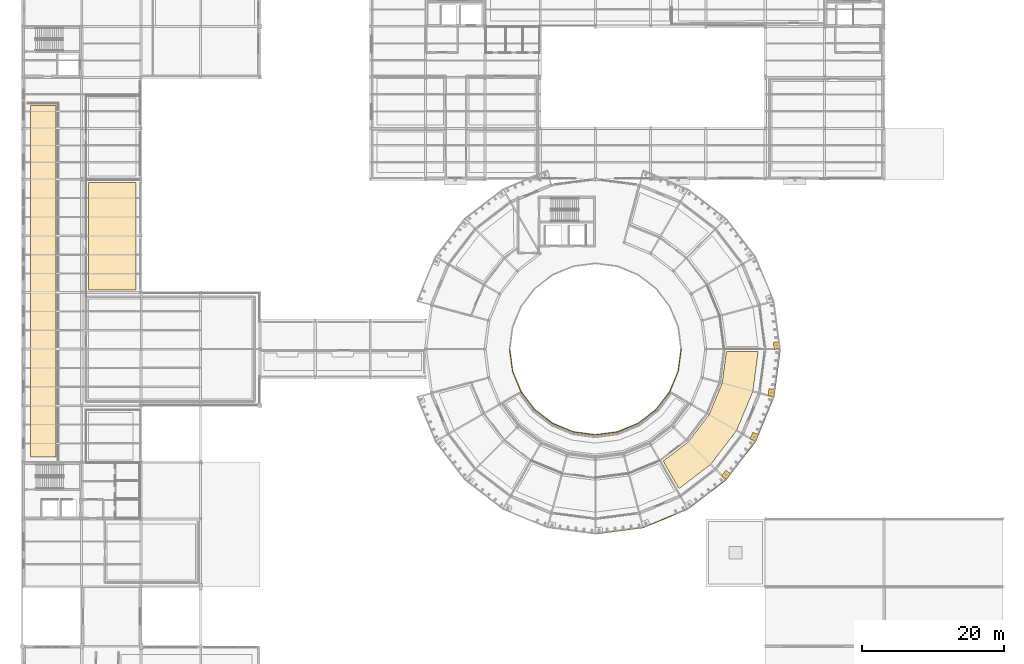
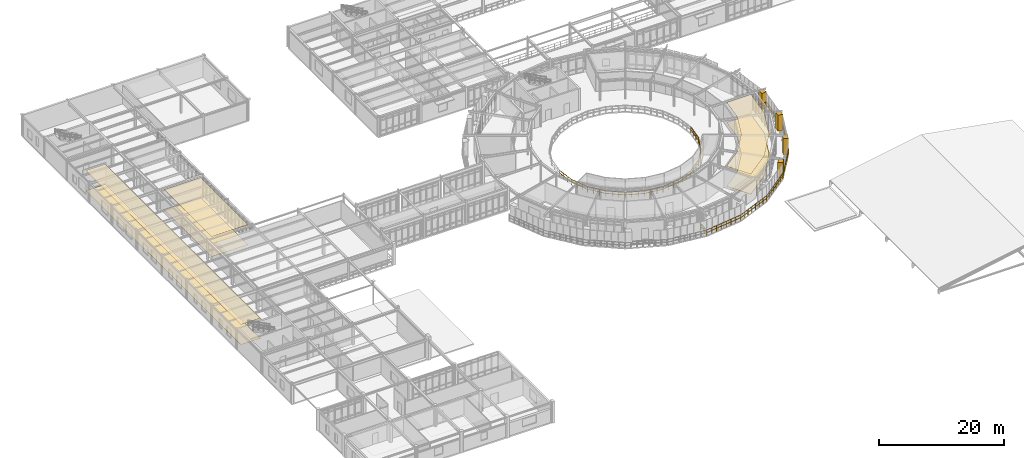
# One storey, part 83 of 90: 6 coverings, 4 shading devices, 2 railings.
"""IFC4 building model written with IfcOpenShell, lengths in metres."""

from ifc_helpers import new_model, si_unit, derived_unit, direction, frame, origin, origin_2d, place, context, subcontext, project, spatial, polyline, rectangle, circle, outline, extrude, material, layer, layer_set, type_object, element, save


model = new_model("IFC4")

# Units and contexts
model_context = context("Model", 3, precision=1e-05, world=origin(), true_north=direction((0.0, 1.0)))
body_context = subcontext(model_context, "Body", "Model", "MODEL_VIEW")
ifc_project = project(units=[si_unit("LENGTHUNIT", "METRE"), si_unit("AREAUNIT", "SQUARE_METRE"), si_unit("VOLUMEUNIT", "CUBIC_METRE"), si_unit("PLANEANGLEUNIT", "RADIAN"), si_unit("MASSUNIT", "GRAM", prefix="KILO"), derived_unit("THERMALTRANSMITTANCEUNIT", [(si_unit("POWERUNIT", "WATT"), 1), (si_unit("AREAUNIT", "SQUARE_METRE"), -1), (si_unit("THERMODYNAMICTEMPERATUREUNIT", "KELVIN"), -1)])], contexts=[model_context])

# Site, building, storey
site_placement = place(None, origin())
site = spatial("IfcSite", under=ifc_project, at=site_placement, CompositionType="ELEMENT")
building_placement = place(site_placement, origin())
building = spatial("IfcBuilding", under=site, at=building_placement, Name="Yasenodar Specialist Clinic", CompositionType="ELEMENT")
storey_placement = place(building_placement, frame((0.0, 0.0, 9.0)))
storey = spatial("IfcBuildingStorey", under=building, at=storey_placement, Name="L02", CompositionType="ELEMENT", Elevation=9.0)

# Coverings
ifc_material_1 = material(Name="Hygienic Acoustic Mineral-Fibre Ceiling")
ifc_layer_1 = layer(ifc_material_1, 0.02490234375)
ifc_layer_set_1 = layer_set([ifc_layer_1], Name="Hygienic Acoustic Mineral-Fibre Ceiling")
covering_type_1 = type_object("IfcCoveringType", Name="COV-CEIL-AC", PredefinedType="CEILING", material=ifc_layer_set_1)
covering_1_placement = place(storey_placement, frame((0.0, 0.0, 3.925048828125)))
element("IfcCovering", 1, at=covering_1_placement, inside=storey, type_object=covering_type_1, Name="L02 Post-Infusion Quiet Recovery Lounge Acoustic Ceiling", PredefinedType="CEILING", context=body_context, shape_type="SweptSolid", body=[
    extrude(outline(polyline([(97.297119140625, 42.5029296875), (92.820068359375, 39.068115234375), (90.572998046875, 42.9599609375), (94.08203125, 45.653076171875), (94.10595703125, 45.673095703125), (94.126953125, 45.694091796875), (94.14697265625, 45.718017578125), (97.0390625, 49.487060546875), (97.056884765625, 49.511962890625), (97.072021484375, 49.5380859375), (97.0849609375, 49.56591796875), (98.903076171875, 53.9560546875), (98.9140625, 53.98388671875), (98.922119140625, 54.013916015625), (98.927001953125, 54.0439453125), (99.50390625, 58.429931640625), (103.998046875, 58.429931640625), (103.261962890625, 52.8349609375), (100.958984375, 47.277099609375), (97.297119140625, 42.5029296875)])), origin(), (0.0, 0.0, 1.0), 0.02490234375),
])
covering_2_placement = place(storey_placement, frame((0.0, 0.0, 3.925048828125)))
element("IfcCovering", 2, at=covering_2_placement, inside=storey, type_object=covering_type_1, Name="L02 Neurology Outpatient Consulting Rooms Acoustic Ceiling", PredefinedType="CEILING", context=body_context, shape_type="SweptSolid", body=[
    extrude(outline(polyline([(4.75, 93.199951171875), (4.75, 43.550048828125), (1.14990234375, 43.550048828125), (1.14990234375, 93.199951171875), (4.75, 93.199951171875)])), origin(), (0.0, 0.0, 1.0), 0.02490234375),
])
covering_3_placement = place(storey_placement, frame((0.0, 0.0, 3.925048828125)))
element("IfcCovering", 3, at=covering_3_placement, inside=storey, type_object=covering_type_1, Name="L02 Hepatology Specialist Consulting Room Acoustic Ceiling", PredefinedType="CEILING", context=body_context, shape_type="SweptSolid", body=[
    extrude(outline(polyline([(16.10009765625, 82.35009765625), (16.10009765625, 67.14990234375), (9.35009765625, 67.14990234375), (9.35009765625, 82.35009765625), (16.10009765625, 82.35009765625)])), origin(), (0.0, 0.0, 1.0), 0.02490234375),
])
ifc_material_2 = material(Name="Seamless Epoxy Terrazzo Clinical Flooring")
ifc_layer_2 = layer(ifc_material_2, 0.02001953125)
ifc_layer_set_2 = layer_set([ifc_layer_2], Name="Seamless Epoxy Terrazzo Clinical Flooring")
covering_type_2 = type_object("IfcCoveringType", Name="COV-FLR-TERR", PredefinedType="FLOORING", material=ifc_layer_set_2)
covering_4_placement = place(storey_placement, origin())
element("IfcCovering", 4, at=covering_4_placement, inside=storey, type_object=covering_type_2, Name="L02 Post-Infusion Quiet Recovery Lounge Terrazzo Flooring", PredefinedType="FLOORING", context=body_context, shape_type="SweptSolid", body=[
    extrude(outline(polyline([(97.297119140625, 42.5029296875), (92.820068359375, 39.068115234375), (90.572998046875, 42.9599609375), (94.08203125, 45.653076171875), (94.10595703125, 45.673095703125), (94.126953125, 45.694091796875), (94.14697265625, 45.718017578125), (97.0390625, 49.487060546875), (97.056884765625, 49.511962890625), (97.072021484375, 49.5380859375), (97.0849609375, 49.56591796875), (98.903076171875, 53.9560546875), (98.9140625, 53.98388671875), (98.922119140625, 54.013916015625), (98.927001953125, 54.0439453125), (99.50390625, 58.429931640625), (103.998046875, 58.429931640625), (103.261962890625, 52.8349609375), (100.958984375, 47.277099609375), (97.297119140625, 42.5029296875)])), origin(), (0.0, 0.0, 1.0), 0.02001953125),
])
covering_5_placement = place(storey_placement, origin())
element("IfcCovering", 5, at=covering_5_placement, inside=storey, type_object=covering_type_2, Name="L02 Neurology Outpatient Consulting Rooms Terrazzo Flooring", PredefinedType="FLOORING", context=body_context, shape_type="SweptSolid", body=[
    extrude(outline(polyline([(4.75, 93.199951171875), (4.75, 43.550048828125), (1.14990234375, 43.550048828125), (1.14990234375, 93.199951171875), (4.75, 93.199951171875)])), origin(), (0.0, 0.0, 1.0), 0.02001953125),
])
covering_6_placement = place(storey_placement, origin())
element("IfcCovering", 6, at=covering_6_placement, inside=storey, type_object=covering_type_2, Name="L02 Hepatology Specialist Consulting Room Terrazzo Flooring", PredefinedType="FLOORING", context=body_context, shape_type="SweptSolid", body=[
    extrude(outline(polyline([(16.10009765625, 82.35009765625), (16.10009765625, 67.14990234375), (9.35009765625, 67.14990234375), (9.35009765625, 82.35009765625), (16.10009765625, 82.35009765625)])), origin(), (0.0, 0.0, 1.0), 0.02001953125),
])

# Railings
ifc_material_3 = material(Name="Bronze Anodized Aluminium and Larch Balustrade", Category="aluminium")
railing_type_1 = type_object("IfcRailingType", Name="RL-BAL-1120", PredefinedType="BALUSTRADE", material=ifc_material_3)
railing_1_placement = place(storey_placement, frame((81.0, 34.580078125, 0.0)))
element("IfcRailing", 7, at=railing_1_placement, inside=storey, type_object=railing_type_1, Name="L02 Drum V1 Balcony Balustrade 4", PredefinedType="BALUSTRADE", context=body_context, shape_type="SweptSolid", body=[
    extrude(circle(Radius=0.02392578125, at=origin_2d()), frame((0.0, 0.0, 1.09619140625), z_axis=(0.0, -1.0, 0.0), x_axis=(1.0, 0.0, 0.0)), (0.0, 0.0, 1.0), 1.900146484375),
    extrude(circle(Radius=0.02392578125, at=origin_2d()), frame((0.0, 0.0, 0.58251953125), z_axis=(0.0, -1.0, 0.0), x_axis=(1.0, 0.0, 0.0)), (0.0, 0.0, 1.0), 1.900146484375),
    extrude(circle(Radius=0.02392578125, at=origin_2d()), frame((0.0, -1.900146484375, 1.09619140625), z_axis=(0.9914429584, 0.130540645926, 0.0), x_axis=(-0.130540645926, 0.9914429584, 0.0)), (0.0, 0.0, 1.0), 6.81884765625),
    extrude(circle(Radius=0.02392578125, at=origin_2d()), frame((0.0, -1.900146484375, 0.58251953125), z_axis=(0.9914429584, 0.130540645926, 0.0), x_axis=(-0.130540645926, 0.9914429584, 0.0)), (0.0, 0.0, 1.0), 6.81884765625),
    extrude(circle(Radius=0.02392578125, at=origin_2d()), frame((6.760498046875, -1.010009765625, 1.09619140625), z_axis=(0.923878931839, 0.382684882513, 0.0), x_axis=(-0.382684882513, 0.923878931839, 0.0)), (0.0, 0.0, 1.0), 6.818603515625),
    extrude(circle(Radius=0.02392578125, at=origin_2d()), frame((6.760498046875, -1.010009765625, 0.58251953125), z_axis=(0.923878931839, 0.382684882513, 0.0), x_axis=(-0.382684882513, 0.923878931839, 0.0)), (0.0, 0.0, 1.0), 6.818603515625),
    extrude(circle(Radius=0.02392578125, at=origin_2d()), frame((13.06005859375, 1.599365234375, 1.09619140625), z_axis=(0.793347531118, 0.608768999597, 0.0), x_axis=(-0.608768999597, 0.793347531118, 0.0)), (0.0, 0.0, 1.0), 6.818359375),
    extrude(circle(Radius=0.02392578125, at=origin_2d()), frame((13.06005859375, 1.599365234375, 0.58251953125), z_axis=(0.793347531118, 0.608768999597, 0.0), x_axis=(-0.608768999597, 0.793347531118, 0.0)), (0.0, 0.0, 1.0), 6.818359375),
    extrude(circle(Radius=0.02392578125, at=origin_2d()), frame((18.469482421875, 5.750244140625, 1.09619140625), z_axis=(0.608774242529, 0.793343507967, 0.0), x_axis=(-0.793343507967, 0.608774242529, 0.0)), (0.0, 0.0, 1.0), 6.81884765625),
    extrude(circle(Radius=0.02392578125, at=origin_2d()), frame((18.469482421875, 5.750244140625, 0.58251953125), z_axis=(0.608774242529, 0.793343507967, 0.0), x_axis=(-0.793343507967, 0.608774242529, 0.0)), (0.0, 0.0, 1.0), 6.81884765625),
    extrude(circle(Radius=0.02392578125, at=origin_2d()), frame((22.62060546875, 11.159912109375, 1.09619140625), z_axis=(0.382684882513, 0.923878931839, 0.0), x_axis=(-0.923878931839, 0.382684882513, 0.0)), (0.0, 0.0, 1.0), 6.818603515625),
    extrude(circle(Radius=0.02392578125, at=origin_2d()), frame((22.62060546875, 11.159912109375, 0.58251953125), z_axis=(0.382684882513, 0.923878931839, 0.0), x_axis=(-0.923878931839, 0.382684882513, 0.0)), (0.0, 0.0, 1.0), 6.818603515625),
    extrude(circle(Radius=0.02392578125, at=origin_2d()), frame((25.22998046875, 17.45947265625, 1.09619140625), z_axis=(0.130540645926, 0.9914429584, 0.0), x_axis=(-0.9914429584, 0.130540645926, 0.0)), (0.0, 0.0, 1.0), 6.81884765625),
    extrude(circle(Radius=0.02392578125, at=origin_2d()), frame((25.22998046875, 17.45947265625, 0.58251953125), z_axis=(0.130540645926, 0.9914429584, 0.0), x_axis=(-0.9914429584, 0.130540645926, 0.0)), (0.0, 0.0, 1.0), 6.81884765625),
    extrude(circle(Radius=0.02392578125, at=origin_2d()), frame((26.1201171875, 24.219970703125, 1.09619140625), z_axis=(-1.0, 0.0, 0.0), x_axis=(0.0, -1.0, 0.0)), (0.0, 0.0, 1.0), 1.900146484375),
    extrude(circle(Radius=0.02392578125, at=origin_2d()), frame((26.1201171875, 24.219970703125, 0.58251953125), z_axis=(-1.0, 0.0, 0.0), x_axis=(0.0, -1.0, 0.0)), (0.0, 0.0, 1.0), 1.900146484375),
    extrude(circle(Radius=0.02099609375, at=origin_2d()), origin(), (0.0, 0.0, 1.0), 1.072021484375),
    extrude(circle(Radius=0.02099609375, at=origin_2d()), frame((0.0, -0.9501953125, 0.0)), (0.0, 0.0, 1.0), 1.072021484375),
    extrude(circle(Radius=0.02099609375, at=origin_2d()), frame((0.0, -1.900146484375, 0.0)), (0.0, 0.0, 1.0), 1.072021484375),
    extrude(circle(Radius=0.02099609375, at=origin_2d()), frame((0.9658203125, -1.77294921875, 0.0)), (0.0, 0.0, 1.0), 1.072021484375),
    extrude(circle(Radius=0.02099609375, at=origin_2d()), frame((1.931640625, -1.645751953125, 0.0)), (0.0, 0.0, 1.0), 1.072021484375),
    extrude(circle(Radius=0.02099609375, at=origin_2d()), frame((2.8974609375, -1.5185546875, 0.0)), (0.0, 0.0, 1.0), 1.072021484375),
    extrude(circle(Radius=0.02099609375, at=origin_2d()), frame((3.863037109375, -1.3916015625, 0.0)), (0.0, 0.0, 1.0), 1.072021484375),
    extrude(circle(Radius=0.02099609375, at=origin_2d()), frame((4.828857421875, -1.264404296875, 0.0)), (0.0, 0.0, 1.0), 1.072021484375),
    extrude(circle(Radius=0.02099609375, at=origin_2d()), frame((5.794677734375, -1.13720703125, 0.0)), (0.0, 0.0, 1.0), 1.072021484375),
    extrude(circle(Radius=0.02099609375, at=origin_2d()), frame((6.760498046875, -1.010009765625, 0.0)), (0.0, 0.0, 1.0), 1.072021484375),
    extrude(circle(Radius=0.02099609375, at=origin_2d()), frame((7.660400390625, -0.63720703125, 0.0)), (0.0, 0.0, 1.0), 1.072021484375),
    extrude(circle(Radius=0.02099609375, at=origin_2d()), frame((8.560302734375, -0.264404296875, 0.0)), (0.0, 0.0, 1.0), 1.072021484375),
    extrude(circle(Radius=0.02099609375, at=origin_2d()), frame((9.460205078125, 0.1083984375, 0.0)), (0.0, 0.0, 1.0), 1.072021484375),
    extrude(circle(Radius=0.02099609375, at=origin_2d()), frame((10.3603515625, 0.48095703125, 0.0)), (0.0, 0.0, 1.0), 1.072021484375),
    extrude(circle(Radius=0.02099609375, at=origin_2d()), frame((11.26025390625, 0.853759765625, 0.0)), (0.0, 0.0, 1.0), 1.072021484375),
    extrude(circle(Radius=0.02099609375, at=origin_2d()), frame((12.16015625, 1.2265625, 0.0)), (0.0, 0.0, 1.0), 1.072021484375),
    extrude(circle(Radius=0.02099609375, at=origin_2d()), frame((13.06005859375, 1.599365234375, 0.0)), (0.0, 0.0, 1.0), 1.072021484375),
    extrude(circle(Radius=0.02099609375, at=origin_2d()), frame((13.832763671875, 2.1923828125, 0.0)), (0.0, 0.0, 1.0), 1.072021484375),
    extrude(circle(Radius=0.02099609375, at=origin_2d()), frame((14.605712890625, 2.785400390625, 0.0)), (0.0, 0.0, 1.0), 1.072021484375),
    extrude(circle(Radius=0.02099609375, at=origin_2d()), frame((15.37841796875, 3.37841796875, 0.0)), (0.0, 0.0, 1.0), 1.072021484375),
    extrude(circle(Radius=0.02099609375, at=origin_2d()), frame((16.151123046875, 3.97119140625, 0.0)), (0.0, 0.0, 1.0), 1.072021484375),
    extrude(circle(Radius=0.02099609375, at=origin_2d()), frame((16.923828125, 4.564208984375, 0.0)), (0.0, 0.0, 1.0), 1.072021484375),
    extrude(circle(Radius=0.02099609375, at=origin_2d()), frame((17.69677734375, 5.1572265625, 0.0)), (0.0, 0.0, 1.0), 1.072021484375),
    extrude(circle(Radius=0.02099609375, at=origin_2d()), frame((18.469482421875, 5.750244140625, 0.0)), (0.0, 0.0, 1.0), 1.072021484375),
    extrude(circle(Radius=0.02099609375, at=origin_2d()), frame((19.0625, 6.52294921875, 0.0)), (0.0, 0.0, 1.0), 1.072021484375),
    extrude(circle(Radius=0.02099609375, at=origin_2d()), frame((19.655517578125, 7.2958984375, 0.0)), (0.0, 0.0, 1.0), 1.072021484375),
    extrude(circle(Radius=0.02099609375, at=origin_2d()), frame((20.24853515625, 8.068603515625, 0.0)), (0.0, 0.0, 1.0), 1.072021484375),
    extrude(circle(Radius=0.02099609375, at=origin_2d()), frame((20.841552734375, 8.841552734375, 0.0)), (0.0, 0.0, 1.0), 1.072021484375),
    extrude(circle(Radius=0.02099609375, at=origin_2d()), frame((21.4345703125, 9.6142578125, 0.0)), (0.0, 0.0, 1.0), 1.072021484375),
    extrude(circle(Radius=0.02099609375, at=origin_2d()), frame((22.027587890625, 10.38720703125, 0.0)), (0.0, 0.0, 1.0), 1.072021484375),
    extrude(circle(Radius=0.02099609375, at=origin_2d()), frame((22.62060546875, 11.159912109375, 0.0)), (0.0, 0.0, 1.0), 1.072021484375),
    extrude(circle(Radius=0.02099609375, at=origin_2d()), frame((22.993408203125, 12.059814453125, 0.0)), (0.0, 0.0, 1.0), 1.072021484375),
    extrude(circle(Radius=0.02099609375, at=origin_2d()), frame((23.3662109375, 12.959716796875, 0.0)), (0.0, 0.0, 1.0), 1.072021484375),
    extrude(circle(Radius=0.02099609375, at=origin_2d()), frame((23.739013671875, 13.859619140625, 0.0)), (0.0, 0.0, 1.0), 1.072021484375),
    extrude(circle(Radius=0.02099609375, at=origin_2d()), frame((24.111572265625, 14.759765625, 0.0)), (0.0, 0.0, 1.0), 1.072021484375),
    extrude(circle(Radius=0.02099609375, at=origin_2d()), frame((24.484375, 15.65966796875, 0.0)), (0.0, 0.0, 1.0), 1.072021484375),
    extrude(circle(Radius=0.02099609375, at=origin_2d()), frame((24.857177734375, 16.5595703125, 0.0)), (0.0, 0.0, 1.0), 1.072021484375),
    extrude(circle(Radius=0.02099609375, at=origin_2d()), frame((25.22998046875, 17.45947265625, 0.0)), (0.0, 0.0, 1.0), 1.072021484375),
    extrude(circle(Radius=0.02099609375, at=origin_2d()), frame((25.357177734375, 18.42529296875, 0.0)), (0.0, 0.0, 1.0), 1.072021484375),
    extrude(circle(Radius=0.02099609375, at=origin_2d()), frame((25.484375, 19.39111328125, 0.0)), (0.0, 0.0, 1.0), 1.072021484375),
    extrude(circle(Radius=0.02099609375, at=origin_2d()), frame((25.611572265625, 20.35693359375, 0.0)), (0.0, 0.0, 1.0), 1.072021484375),
    extrude(circle(Radius=0.02099609375, at=origin_2d()), frame((25.738525390625, 21.322509765625, 0.0)), (0.0, 0.0, 1.0), 1.072021484375),
    extrude(circle(Radius=0.02099609375, at=origin_2d()), frame((25.86572265625, 22.288330078125, 0.0)), (0.0, 0.0, 1.0), 1.072021484375),
    extrude(circle(Radius=0.02099609375, at=origin_2d()), frame((25.992919921875, 23.254150390625, 0.0)), (0.0, 0.0, 1.0), 1.072021484375),
    extrude(circle(Radius=0.02099609375, at=origin_2d()), frame((26.1201171875, 24.219970703125, 0.0)), (0.0, 0.0, 1.0), 1.072021484375),
    extrude(circle(Radius=0.02099609375, at=origin_2d()), frame((25.169921875, 24.219970703125, 0.0)), (0.0, 0.0, 1.0), 1.072021484375),
    extrude(circle(Radius=0.02099609375, at=origin_2d()), frame((24.219970703125, 24.219970703125, 0.0)), (0.0, 0.0, 1.0), 1.072021484375),
])
ifc_material_4 = material(Name="Steel S355 Painted Stair Guardrail", Category="steel")
railing_type_2 = type_object("IfcRailingType", Name="RL-ST-GRD", PredefinedType="GUARDRAIL", material=ifc_material_4)
railing_2_placement = place(storey_placement, frame((68.8798828125, 58.800048828125, 0.0)))
element("IfcRailing", 8, at=railing_2_placement, inside=storey, type_object=railing_type_2, Name="L02 Drum V1 Central Atrium South Guardrail", PredefinedType="GUARDRAIL", context=body_context, shape_type="SweptSolid", body=[
    extrude(circle(Radius=0.02392578125, at=origin_2d()), frame((0.0, 0.0, 1.09619140625), z_axis=(0.130556307594, -0.991440896144, 0.0), x_axis=(0.991440896144, 0.130556307594, 0.0)), (0.0, 0.0, 1.0), 3.1640625),
    extrude(circle(Radius=0.02392578125, at=origin_2d()), frame((0.0, 0.0, 0.58251953125), z_axis=(0.130556307594, -0.991440896144, 0.0), x_axis=(0.991440896144, 0.130556307594, 0.0)), (0.0, 0.0, 1.0), 3.1640625),
    extrude(circle(Radius=0.02392578125, at=origin_2d()), frame((0.4130859375, -3.136962890625, 1.09619140625), z_axis=(0.382724333475, -0.923862589656, 0.0), x_axis=(0.923862589656, 0.382724333475, 0.0)), (0.0, 0.0, 1.0), 3.1640625),
    extrude(circle(Radius=0.02392578125, at=origin_2d()), frame((0.4130859375, -3.136962890625, 0.58251953125), z_axis=(0.382724333475, -0.923862589656, 0.0), x_axis=(0.923862589656, 0.382724333475, 0.0)), (0.0, 0.0, 1.0), 3.1640625),
    extrude(circle(Radius=0.02392578125, at=origin_2d()), frame((1.6240234375, -6.06005859375, 1.09619140625), z_axis=(0.608766831684, -0.793349194644, 0.0), x_axis=(0.793349194644, 0.608766831684, 0.0)), (0.0, 0.0, 1.0), 3.163818359375),
    extrude(circle(Radius=0.02392578125, at=origin_2d()), frame((1.6240234375, -6.06005859375, 0.58251953125), z_axis=(0.608766831684, -0.793349194644, 0.0), x_axis=(0.793349194644, 0.608766831684, 0.0)), (0.0, 0.0, 1.0), 3.163818359375),
    extrude(circle(Radius=0.02392578125, at=origin_2d()), frame((3.550048828125, -8.570068359375, 1.09619140625), z_axis=(0.793311926195, -0.608815397109, 0.0), x_axis=(0.608815397109, 0.793311926195, 0.0)), (0.0, 0.0, 1.0), 3.1640625),
    extrude(circle(Radius=0.02392578125, at=origin_2d()), frame((3.550048828125, -8.570068359375, 0.58251953125), z_axis=(0.793311926195, -0.608815397109, 0.0), x_axis=(0.608815397109, 0.793311926195, 0.0)), (0.0, 0.0, 1.0), 3.1640625),
    extrude(circle(Radius=0.02392578125, at=origin_2d()), frame((6.06005859375, -10.496337890625, 1.09619140625), z_axis=(0.923889871474, -0.382658470946, 0.0), x_axis=(0.382658470946, 0.923889871474, 0.0)), (0.0, 0.0, 1.0), 3.163818359375),
    extrude(circle(Radius=0.02392578125, at=origin_2d()), frame((6.06005859375, -10.496337890625, 0.58251953125), z_axis=(0.923889871474, -0.382658470946, 0.0), x_axis=(0.382658470946, 0.923889871474, 0.0)), (0.0, 0.0, 1.0), 3.163818359375),
    extrude(circle(Radius=0.02392578125, at=origin_2d()), frame((8.983154296875, -11.70703125, 1.09619140625), z_axis=(0.991440896144, -0.130556307594, 0.0), x_axis=(0.130556307594, 0.991440896144, 0.0)), (0.0, 0.0, 1.0), 3.1640625),
    extrude(circle(Radius=0.02392578125, at=origin_2d()), frame((8.983154296875, -11.70703125, 0.58251953125), z_axis=(0.991440896144, -0.130556307594, 0.0), x_axis=(0.130556307594, 0.991440896144, 0.0)), (0.0, 0.0, 1.0), 3.1640625),
    extrude(circle(Radius=0.02392578125, at=origin_2d()), frame((12.1201171875, -12.1201171875, 1.09619140625), z_axis=(0.991440896144, 0.130556307594, 0.0), x_axis=(-0.130556307594, 0.991440896144, 0.0)), (0.0, 0.0, 1.0), 3.1640625),
    extrude(circle(Radius=0.02392578125, at=origin_2d()), frame((12.1201171875, -12.1201171875, 0.58251953125), z_axis=(0.991440896144, 0.130556307594, 0.0), x_axis=(-0.130556307594, 0.991440896144, 0.0)), (0.0, 0.0, 1.0), 3.1640625),
    extrude(circle(Radius=0.02392578125, at=origin_2d()), frame((15.257080078125, -11.70703125, 1.09619140625), z_axis=(0.923889871474, 0.382658470946, 0.0), x_axis=(-0.382658470946, 0.923889871474, 0.0)), (0.0, 0.0, 1.0), 3.163818359375),
    extrude(circle(Radius=0.02392578125, at=origin_2d()), frame((15.257080078125, -11.70703125, 0.58251953125), z_axis=(0.923889871474, 0.382658470946, 0.0), x_axis=(-0.382658470946, 0.923889871474, 0.0)), (0.0, 0.0, 1.0), 3.163818359375),
    extrude(circle(Radius=0.02392578125, at=origin_2d()), frame((18.18017578125, -10.496337890625, 1.09619140625), z_axis=(0.793311926195, 0.608815397109, 0.0), x_axis=(-0.608815397109, 0.793311926195, 0.0)), (0.0, 0.0, 1.0), 3.1640625),
    extrude(circle(Radius=0.02392578125, at=origin_2d()), frame((18.18017578125, -10.496337890625, 0.58251953125), z_axis=(0.793311926195, 0.608815397109, 0.0), x_axis=(-0.608815397109, 0.793311926195, 0.0)), (0.0, 0.0, 1.0), 3.1640625),
    extrude(circle(Radius=0.02392578125, at=origin_2d()), frame((20.690185546875, -8.570068359375, 1.09619140625), z_axis=(0.608766831684, 0.793349194644, 0.0), x_axis=(-0.793349194644, 0.608766831684, 0.0)), (0.0, 0.0, 1.0), 3.163818359375),
    extrude(circle(Radius=0.02392578125, at=origin_2d()), frame((20.690185546875, -8.570068359375, 0.58251953125), z_axis=(0.608766831684, 0.793349194644, 0.0), x_axis=(-0.793349194644, 0.608766831684, 0.0)), (0.0, 0.0, 1.0), 3.163818359375),
    extrude(circle(Radius=0.02392578125, at=origin_2d()), frame((22.6162109375, -6.06005859375, 1.09619140625), z_axis=(0.382724333475, 0.923862589656, 0.0), x_axis=(-0.923862589656, 0.382724333475, 0.0)), (0.0, 0.0, 1.0), 3.1640625),
    extrude(circle(Radius=0.02392578125, at=origin_2d()), frame((22.6162109375, -6.06005859375, 0.58251953125), z_axis=(0.382724333475, 0.923862589656, 0.0), x_axis=(-0.923862589656, 0.382724333475, 0.0)), (0.0, 0.0, 1.0), 3.1640625),
    extrude(circle(Radius=0.02392578125, at=origin_2d()), frame((23.8271484375, -3.136962890625, 1.09619140625), z_axis=(0.130556307594, 0.991440896144, 0.0), x_axis=(-0.991440896144, 0.130556307594, 0.0)), (0.0, 0.0, 1.0), 3.1640625),
    extrude(circle(Radius=0.02392578125, at=origin_2d()), frame((23.8271484375, -3.136962890625, 0.58251953125), z_axis=(0.130556307594, 0.991440896144, 0.0), x_axis=(-0.991440896144, 0.130556307594, 0.0)), (0.0, 0.0, 1.0), 3.1640625),
    extrude(circle(Radius=0.02099609375, at=origin_2d()), origin(), (0.0, 0.0, 1.0), 1.072021484375),
    extrude(circle(Radius=0.02099609375, at=origin_2d()), frame((0.1376953125, -1.045654296875, 0.0)), (0.0, 0.0, 1.0), 1.072021484375),
    extrude(circle(Radius=0.02099609375, at=origin_2d()), frame((0.275390625, -2.09130859375, 0.0)), (0.0, 0.0, 1.0), 1.072021484375),
    extrude(circle(Radius=0.02099609375, at=origin_2d()), frame((0.4130859375, -3.136962890625, 0.0)), (0.0, 0.0, 1.0), 1.072021484375),
    extrude(circle(Radius=0.02099609375, at=origin_2d()), frame((0.816650390625, -4.111328125, 0.0)), (0.0, 0.0, 1.0), 1.072021484375),
    extrude(circle(Radius=0.02099609375, at=origin_2d()), frame((1.220458984375, -5.085693359375, 0.0)), (0.0, 0.0, 1.0), 1.072021484375),
    extrude(circle(Radius=0.02099609375, at=origin_2d()), frame((1.6240234375, -6.06005859375, 0.0)), (0.0, 0.0, 1.0), 1.072021484375),
    extrude(circle(Radius=0.02099609375, at=origin_2d()), frame((2.26611328125, -6.896728515625, 0.0)), (0.0, 0.0, 1.0), 1.072021484375),
    extrude(circle(Radius=0.02099609375, at=origin_2d()), frame((2.907958984375, -7.7333984375, 0.0)), (0.0, 0.0, 1.0), 1.072021484375),
    extrude(circle(Radius=0.02099609375, at=origin_2d()), frame((3.550048828125, -8.570068359375, 0.0)), (0.0, 0.0, 1.0), 1.072021484375),
    extrude(circle(Radius=0.02099609375, at=origin_2d()), frame((4.38671875, -9.212158203125, 0.0)), (0.0, 0.0, 1.0), 1.072021484375),
    extrude(circle(Radius=0.02099609375, at=origin_2d()), frame((5.223388671875, -9.854248046875, 0.0)), (0.0, 0.0, 1.0), 1.072021484375),
    extrude(circle(Radius=0.02099609375, at=origin_2d()), frame((6.06005859375, -10.496337890625, 0.0)), (0.0, 0.0, 1.0), 1.072021484375),
    extrude(circle(Radius=0.02099609375, at=origin_2d()), frame((7.034423828125, -10.89990234375, 0.0)), (0.0, 0.0, 1.0), 1.072021484375),
    extrude(circle(Radius=0.02099609375, at=origin_2d()), frame((8.0087890625, -11.303466796875, 0.0)), (0.0, 0.0, 1.0), 1.072021484375),
    extrude(circle(Radius=0.02099609375, at=origin_2d()), frame((8.983154296875, -11.70703125, 0.0)), (0.0, 0.0, 1.0), 1.072021484375),
    extrude(circle(Radius=0.02099609375, at=origin_2d()), frame((10.02880859375, -11.8447265625, 0.0)), (0.0, 0.0, 1.0), 1.072021484375),
    extrude(circle(Radius=0.02099609375, at=origin_2d()), frame((11.074462890625, -11.982421875, 0.0)), (0.0, 0.0, 1.0), 1.072021484375),
    extrude(circle(Radius=0.02099609375, at=origin_2d()), frame((12.1201171875, -12.1201171875, 0.0)), (0.0, 0.0, 1.0), 1.072021484375),
    extrude(circle(Radius=0.02099609375, at=origin_2d()), frame((13.165771484375, -11.982421875, 0.0)), (0.0, 0.0, 1.0), 1.072021484375),
    extrude(circle(Radius=0.02099609375, at=origin_2d()), frame((14.21142578125, -11.8447265625, 0.0)), (0.0, 0.0, 1.0), 1.072021484375),
    extrude(circle(Radius=0.02099609375, at=origin_2d()), frame((15.257080078125, -11.70703125, 0.0)), (0.0, 0.0, 1.0), 1.072021484375),
    extrude(circle(Radius=0.02099609375, at=origin_2d()), frame((16.2314453125, -11.303466796875, 0.0)), (0.0, 0.0, 1.0), 1.072021484375),
    extrude(circle(Radius=0.02099609375, at=origin_2d()), frame((17.205810546875, -10.89990234375, 0.0)), (0.0, 0.0, 1.0), 1.072021484375),
    extrude(circle(Radius=0.02099609375, at=origin_2d()), frame((18.18017578125, -10.496337890625, 0.0)), (0.0, 0.0, 1.0), 1.072021484375),
    extrude(circle(Radius=0.02099609375, at=origin_2d()), frame((19.016845703125, -9.854248046875, 0.0)), (0.0, 0.0, 1.0), 1.072021484375),
    extrude(circle(Radius=0.02099609375, at=origin_2d()), frame((19.853515625, -9.212158203125, 0.0)), (0.0, 0.0, 1.0), 1.072021484375),
    extrude(circle(Radius=0.02099609375, at=origin_2d()), frame((20.690185546875, -8.570068359375, 0.0)), (0.0, 0.0, 1.0), 1.072021484375),
    extrude(circle(Radius=0.02099609375, at=origin_2d()), frame((21.332275390625, -7.7333984375, 0.0)), (0.0, 0.0, 1.0), 1.072021484375),
    extrude(circle(Radius=0.02099609375, at=origin_2d()), frame((21.97412109375, -6.896728515625, 0.0)), (0.0, 0.0, 1.0), 1.072021484375),
    extrude(circle(Radius=0.02099609375, at=origin_2d()), frame((22.6162109375, -6.06005859375, 0.0)), (0.0, 0.0, 1.0), 1.072021484375),
    extrude(circle(Radius=0.02099609375, at=origin_2d()), frame((23.019775390625, -5.085693359375, 0.0)), (0.0, 0.0, 1.0), 1.072021484375),
    extrude(circle(Radius=0.02099609375, at=origin_2d()), frame((23.423583984375, -4.111328125, 0.0)), (0.0, 0.0, 1.0), 1.072021484375),
    extrude(circle(Radius=0.02099609375, at=origin_2d()), frame((23.8271484375, -3.136962890625, 0.0)), (0.0, 0.0, 1.0), 1.072021484375),
    extrude(circle(Radius=0.02099609375, at=origin_2d()), frame((23.96484375, -2.09130859375, 0.0)), (0.0, 0.0, 1.0), 1.072021484375),
    extrude(circle(Radius=0.02099609375, at=origin_2d()), frame((24.1025390625, -1.045654296875, 0.0)), (0.0, 0.0, 1.0), 1.072021484375),
    extrude(circle(Radius=0.02099609375, at=origin_2d()), frame((24.240234375, 0.0, 0.0)), (0.0, 0.0, 1.0), 1.072021484375),
])

# Shading devices
ifc_material_5 = material(Name="Thermally Modified Larch and Bronze Girih Jali Shutter")
shading_device_type = type_object("IfcShadingDeviceType", Name="SHD-JALI-850", PredefinedType="SHUTTER", material=ifc_material_5)
for number, where, z_axis, x_axis, name in (
    (9, (106.6298828125, 59.2998046875, -0.005126953125), (0.0, 0.0, 1.0), (-0.130519185854, 0.991445783754, 0.0), "L02 Mughal Girih Jali Sliding Shutter Frame 0109"),
    (10, (99.4765625, 41.030517578125, -0.005126953125), (0.0, 0.0, 1.0), (0.608764217148, 0.793351200869, 0.0), "L02 Mughal Girih Jali Sliding Shutter Frame 0199"),
    (11, (103.446044921875, 46.41796875, -0.005126953125), (0.0, 0.0, 1.0), (0.382686667195, 0.923878192594, 0.0), "L02 Mughal Girih Jali Sliding Shutter Frame 0205"),
    (12, (105.885986328125, 52.6494140625, -0.005126953125), (0.0, 0.0, 1.0), (0.130519185854, 0.991445783754, 0.0), "L02 Mughal Girih Jali Sliding Shutter Frame 0211"),
):
    element("IfcShadingDevice", number, at=place(storey_placement, frame(where, z_axis=z_axis, x_axis=x_axis)), inside=storey, type_object=shading_device_type, Name=name, PredefinedType="SHUTTER", context=body_context, shape_type="SweptSolid", body=[
        extrude(rectangle(XDim=1.02001953125, YDim=0.85009765625, at=origin_2d()), origin(), (0.0, 0.0, 1.0), 3.10009765625),
    ])

save(model, "model.ifc")
